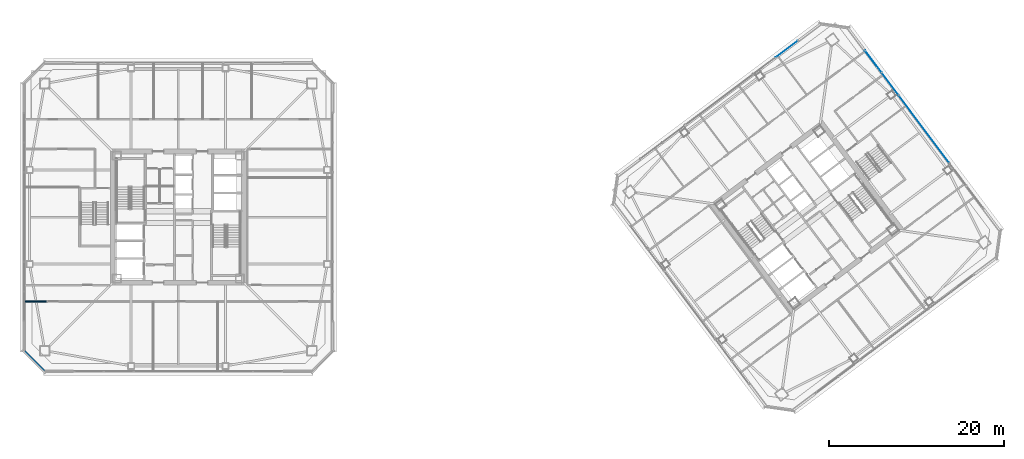
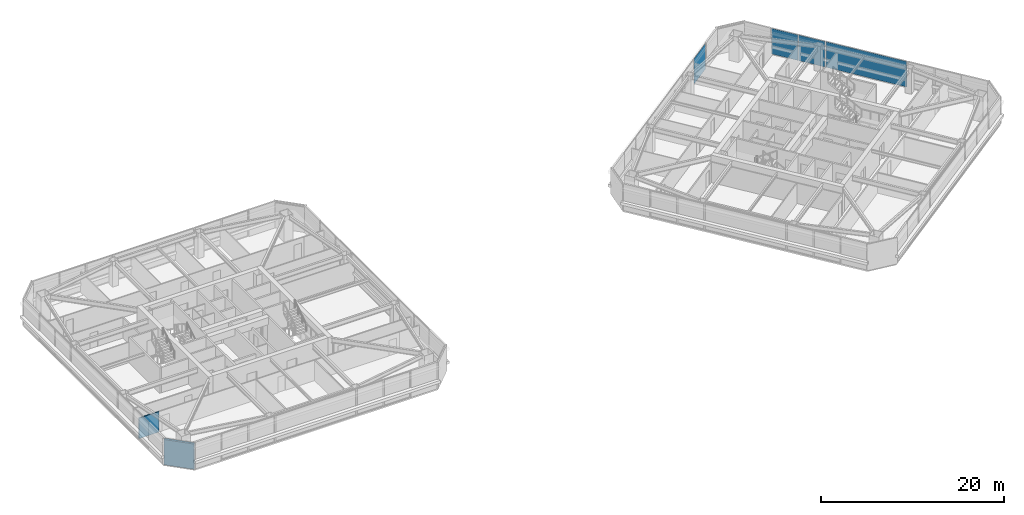
# One storey, part 32 of 43: 4 plates, 2 walls, 3 elements without a shape of their own.
"""IFC4 building model written with IfcOpenShell, lengths in metres."""

from ifc_helpers import new_model, si_unit, direction, frame, frame_2d, origin, origin_2d, place, context, subcontext, project, spatial, rectangle, extrude, material, layer, layer_set, type_object, element, aggregate, save


model = new_model("IFC4")

# Units and contexts
model_context = context("Model", 3, precision=1e-05, world=origin(), true_north=direction((0.0, 1.0)))
body_context = subcontext(model_context, "Body", "Model", "MODEL_VIEW")
ifc_project = project(units=[si_unit("LENGTHUNIT", "METRE"), si_unit("AREAUNIT", "SQUARE_METRE"), si_unit("VOLUMEUNIT", "CUBIC_METRE"), si_unit("PLANEANGLEUNIT", "RADIAN"), si_unit("MASSUNIT", "GRAM", prefix="KILO")], contexts=[model_context])

# Site, building, storey
site_placement = place(None, origin())
site = spatial("IfcSite", under=ifc_project, at=site_placement, CompositionType="ELEMENT")
building_placement = place(site_placement, origin())
building = spatial("IfcBuilding", under=site, at=building_placement, Name="Tashvorn Skyway Center", CompositionType="ELEMENT")
storey_placement = place(building_placement, frame((0.0, 0.0, 160.550048828125)))
storey = spatial("IfcBuildingStorey", under=building, at=storey_placement, Name="L43", CompositionType="ELEMENT", Elevation=160.550048828125)

# Curtain wall, plate
ifc_material_1 = material(Name="Thermally broken bronze-anodized aluminium 6063-T6", Category="aluminium")
curtain_wall_type = type_object("IfcCurtainWallType", Name="CW-CW-Z4", PredefinedType="NOTDEFINED", material=ifc_material_1)
curtain_wall_1_placement = place(storey_placement, origin())
curtain_wall_1 = element("IfcCurtainWall", 1, at=curtain_wall_1_placement, inside=storey, type_object=curtain_wall_type, Name="Tower 2 L43 North Unitised Curtain Wall Glazing Group 3", PredefinedType="NOTDEFINED")
ifc_material_2 = material(Name="Low-E solar-control double insulating safety glass", Category="glass")
ifc_layer_1 = layer(ifc_material_2, 0.035888671875)
ifc_layer_set_1 = layer_set([ifc_layer_1], Name="Low-E solar-control double insulating safety glass")
plate_type = type_object("IfcPlateType", Name="CWP-CW-Z4", PredefinedType="CURTAIN_PANEL", material=ifc_layer_set_1)
plate_1_placement = place(storey_placement, frame((111.694091796875, 51.24560546875, 0.06982421875), z_axis=(0.0, 0.0, 1.0), x_axis=(0.799999999998, 0.600000000002, 0.0)))
plate_1 = element("IfcPlate", 2, at=plate_1_placement, type_object=plate_type, Name="CW-Z4 panel 2.1", PredefinedType="CURTAIN_PANEL", context=body_context, shape_type="SweptSolid", body=[
    extrude(rectangle(XDim=3.135009765625, YDim=0.035888671875, at=origin_2d()), origin(), (0.0, 0.0, 1.0), 3.409912109375),
])
aggregate(curtain_wall_1, [plate_1])

# Curtain wall, plates
curtain_wall_2_placement = place(storey_placement, origin())
curtain_wall_2 = element("IfcCurtainWall", 3, at=curtain_wall_2_placement, inside=storey, type_object=curtain_wall_type, Name="Tower 2 L43 East Unitised Curtain Wall Glazing Group 1", PredefinedType="NOTDEFINED")
plate_2_placement = place(storey_placement, frame((121.6025390625, 49.830078125, 0.06982421875), z_axis=(0.0, 0.0, 1.0), x_axis=(0.600000000002, -0.799999999998, 0.0)))
plate_2 = element("IfcPlate", 4, at=plate_2_placement, type_object=plate_type, Name="CW-Z4 panel 1.1", PredefinedType="CURTAIN_PANEL", context=body_context, shape_type="SweptSolid", body=[
    extrude(rectangle(XDim=3.135009765625, YDim=0.035888671875, at=origin_2d()), origin(), (0.0, 0.0, 1.0), 3.409912109375),
])
plate_3_placement = place(storey_placement, frame((123.525390625, 47.26611328125, 0.06982421875), z_axis=(0.0, 0.0, 1.0), x_axis=(0.600000000002, -0.799999999998, 0.0)))
plate_3 = element("IfcPlate", 5, at=plate_3_placement, type_object=plate_type, Name="CW-Z4 panel 2.1", PredefinedType="CURTAIN_PANEL", context=body_context, shape_type="SweptSolid", body=[
    extrude(rectangle(XDim=3.135009765625, YDim=0.035888671875, at=origin_2d()), origin(), (0.0, 0.0, 1.0), 3.409912109375),
])
aggregate(curtain_wall_2, [plate_2, plate_3])

# Curtain wall, plate
curtain_wall_3_placement = place(storey_placement, origin())
curtain_wall_3 = element("IfcCurtainWall", 6, at=curtain_wall_3_placement, inside=storey, type_object=curtain_wall_type, Name="Tower 2 L43 East Unitised Curtain Wall Glazing Group 2", PredefinedType="NOTDEFINED")
plate_4_placement = place(storey_placement, frame((127.424072265625, 42.068115234375, 0.06982421875), z_axis=(0.0, 0.0, 1.0), x_axis=(0.600000000002, -0.799999999998, 0.0)))
plate_4 = element("IfcPlate", 7, at=plate_4_placement, type_object=plate_type, Name="CW-Z4 panel 1.1", PredefinedType="CURTAIN_PANEL", context=body_context, shape_type="SweptSolid", body=[
    extrude(rectangle(XDim=9.580078125, YDim=0.035888671875, at=origin_2d()), origin(), (0.0, 0.0, 1.0), 3.409912109375),
])
aggregate(curtain_wall_3, [plate_4])

# Walls
ifc_material_3 = material(Name="Precast concrete C40/50", Category="concrete")
ifc_layer_2 = layer(ifc_material_3, 0.280029296875)
ifc_layer_set_2 = layer_set([ifc_layer_2], Name="Precast concrete C40/50")
wall_type_1 = type_object("IfcWallType", Name="WALL-EXT-280", PredefinedType="SOLIDWALL", material=ifc_layer_set_2)
wall_1_placement = place(storey_placement, frame((26.699951171875, 14.300048828125, 0.0), z_axis=(0.0, 0.0, 1.0), x_axis=(-0.707106781187, 0.707106781187, 0.0)))
element("IfcWall", 8, at=wall_1_placement, inside=storey, type_object=wall_type_1, Name="Tower 1 L43 SW Precast Chamfer Wall", PredefinedType="SOLIDWALL", context=body_context, shape_type="SweptSolid", body=[
    extrude(rectangle(XDim=3.39404296875, YDim=0.280029296875, at=frame_2d((1.697021484375, 0.0))), origin(), (0.0, 0.0, 1.0), 3.369873046875),
])
ifc_material_4 = material(Name="Gypsum board on cold-formed steel stud framing", Category="steel")
ifc_layer_3 = layer(ifc_material_4, 0.135009765625)
ifc_layer_set_3 = layer_set([ifc_layer_3], Name="Gypsum board on cold-formed steel stud framing")
wall_type_2 = type_object("IfcWallType", Name="WALL-PART-135", PredefinedType="PARTITIONING", material=ifc_layer_set_3)
wall_2_placement = place(storey_placement, frame((24.320068359375, 22.330078125, 0.0), z_axis=(0.0, 0.0, 1.0), x_axis=(1.0, 0.0, 0.0)))
element("IfcWall", 9, at=wall_2_placement, inside=storey, type_object=wall_type_2, Name="Tower 1 L43 South-West Suite North Wall", PredefinedType="PARTITIONING", context=body_context, shape_type="SweptSolid", body=[
    extrude(rectangle(XDim=2.530029296875, YDim=0.135009765625, at=frame_2d((1.26513671875, 0.0))), origin(), (0.0, 0.0, 1.0), 2.722900390625),
])

save(model, "model.ifc")
